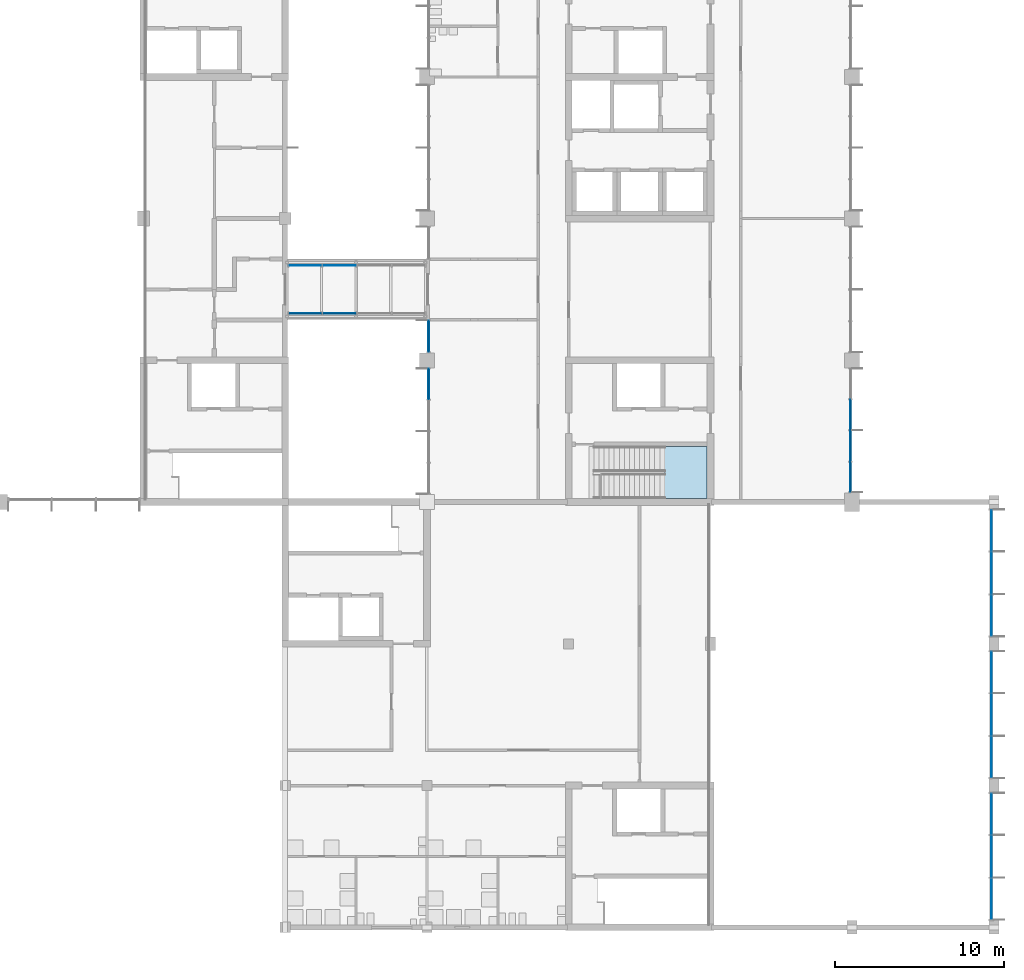
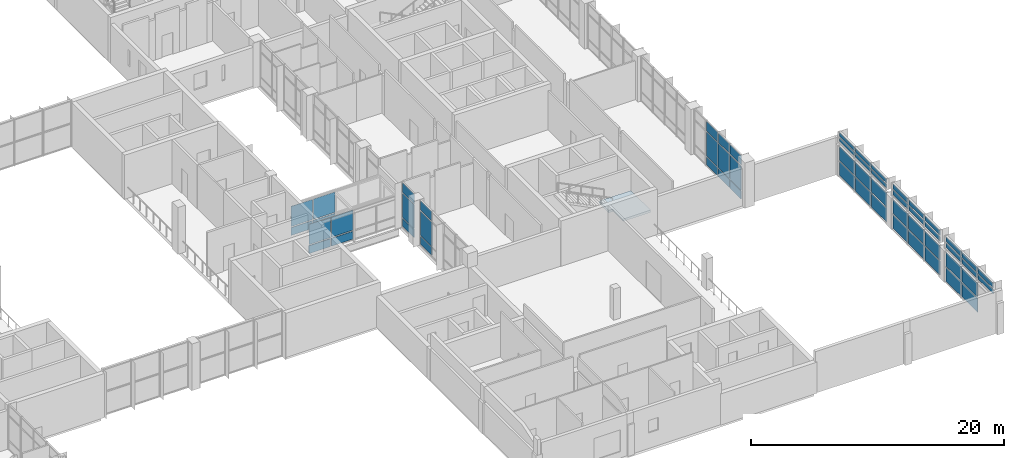
# One storey, part 27 of 70: 57 plates, 1 slab, 12 elements without a shape of their own.
"""IFC4 building model written with IfcOpenShell, lengths in metres."""

from ifc_helpers import new_model, si_unit, direction, frame, origin, origin_2d, place, context, subcontext, project, spatial, polyline, rectangle, outline, extrude, material, layer, layer_set, type_object, element, aggregate, save


model = new_model("IFC4")

# Units and contexts
model_context = context("Model", 3, precision=1e-05, world=origin(), true_north=direction((0.0, 1.0)))
body_context = subcontext(model_context, "Body", "Model", "MODEL_VIEW")
ifc_project = project(units=[si_unit("LENGTHUNIT", "METRE"), si_unit("AREAUNIT", "SQUARE_METRE"), si_unit("VOLUMEUNIT", "CUBIC_METRE"), si_unit("PLANEANGLEUNIT", "RADIAN"), si_unit("MASSUNIT", "GRAM", prefix="KILO")], contexts=[model_context])

# Site, building, storey
site_placement = place(None, origin())
site = spatial("IfcSite", under=ifc_project, at=site_placement, CompositionType="ELEMENT")
building_placement = place(site_placement, origin())
building = spatial("IfcBuilding", under=site, at=building_placement, Name="Hlaing Beacon Police Headquarters", CompositionType="ELEMENT")
storey_placement = place(building_placement, frame((0.0, 0.0, 5.39990234375)))
storey = spatial("IfcBuildingStorey", under=building, at=storey_placement, Name="L01", CompositionType="ELEMENT", Elevation=5.39990234375)

# Curtain wall, plate
ifc_material_1 = material(Name="Aluminium frame with solar control glazing", Category="aluminium")
curtain_wall_type_1 = type_object("IfcCurtainWallType", Name="Unitised curtain wall 7.40 x 4.37", PredefinedType="NOTDEFINED", material=ifc_material_1)
curtain_wall_1_placement = place(storey_placement, origin())
curtain_wall_1 = element("IfcCurtainWall", 1, at=curtain_wall_1_placement, inside=storey, type_object=curtain_wall_type_1, Name="ENV-CW-L01-E019", PredefinedType="NOTDEFINED")
ifc_material_2 = material(Name="Solar control glazing", Category="glass")
ifc_layer_1 = layer(ifc_material_2, 0.0439453125)
ifc_layer_set_1 = layer_set([ifc_layer_1], Name="Solar control glazing")
plate_type_1 = type_object("IfcPlateType", Name="Clear glazing panel 44", PredefinedType="CURTAIN_PANEL", material=ifc_layer_set_1)
plate_1_placement = place(storey_placement, frame((125.89990234375, 36.925048828125, 0.9501953125), z_axis=(0.0, 0.0, 1.0), x_axis=(0.0, 1.0, 0.0)))
plate_1 = element("IfcPlate", 2, at=plate_1_placement, type_object=plate_type_1, Name="CW-L01-E019 panel 2.2", PredefinedType="CURTAIN_PANEL", context=body_context, shape_type="SweptSolid", body=[
    extrude(rectangle(XDim=1.7900390625, YDim=0.0439453125, at=origin_2d()), origin(), (0.0, 0.0, 1.0), 2.300048828125),
])

# Curtain wall, plates
ifc_material_3 = material(Name="Aluminium frame with solar control glazing", Category="aluminium")
curtain_wall_type_2 = type_object("IfcCurtainWallType", Name="Unitised curtain wall 8.20 x 3.00", PredefinedType="NOTDEFINED", material=ifc_material_3)
curtain_wall_2_placement = place(storey_placement, origin())
curtain_wall_2 = element("IfcCurtainWall", 3, at=curtain_wall_2_placement, inside=storey, type_object=curtain_wall_type_2, Name="ENV-BG-BR2-A-34", PredefinedType="NOTDEFINED")
plate_2_placement = place(storey_placement, frame((93.590087890625, 44.776123046875, 0.9501953125), z_axis=(0.0, 0.0, 1.0), x_axis=(1.0, 0.0, 0.0)))
plate_2 = element("IfcPlate", 4, at=plate_2_placement, type_object=plate_type_1, Name="BG-BR2-A-34 panel 1.2", PredefinedType="CURTAIN_PANEL", context=body_context, shape_type="SweptSolid", body=[
    extrude(rectangle(XDim=1.9599609375, YDim=0.0439453125, at=origin_2d()), origin(), (0.0, 0.0, 1.0), 1.949951171875),
])
plate_3_placement = place(storey_placement, frame((95.625, 44.776123046875, 0.9501953125), z_axis=(0.0, 0.0, 1.0), x_axis=(1.0, 0.0, 0.0)))
plate_3 = element("IfcPlate", 5, at=plate_3_placement, type_object=plate_type_1, Name="BG-BR2-A-34 panel 2.2", PredefinedType="CURTAIN_PANEL", context=body_context, shape_type="SweptSolid", body=[
    extrude(rectangle(XDim=1.989990234375, YDim=0.0439453125, at=origin_2d()), origin(), (0.0, 0.0, 1.0), 1.949951171875),
])

curtain_wall_3_placement = place(storey_placement, origin())
curtain_wall_3 = element("IfcCurtainWall", 6, at=curtain_wall_3_placement, inside=storey, type_object=curtain_wall_type_2, Name="ENV-BG-BR2-B-35", PredefinedType="NOTDEFINED")
plate_4_placement = place(storey_placement, frame((93.590087890625, 47.623779296875, 0.9501953125), z_axis=(0.0, 0.0, 1.0), x_axis=(1.0, 0.0, 0.0)))
plate_4 = element("IfcPlate", 7, at=plate_4_placement, type_object=plate_type_1, Name="BG-BR2-B-35 panel 1.2", PredefinedType="CURTAIN_PANEL", context=body_context, shape_type="SweptSolid", body=[
    extrude(rectangle(XDim=1.9599609375, YDim=0.0439453125, at=origin_2d()), origin(), (0.0, 0.0, 1.0), 1.949951171875),
])
plate_5_placement = place(storey_placement, frame((95.625, 47.623779296875, 0.9501953125), z_axis=(0.0, 0.0, 1.0), x_axis=(1.0, 0.0, 0.0)))
plate_5 = element("IfcPlate", 8, at=plate_5_placement, type_object=plate_type_1, Name="BG-BR2-B-35 panel 2.2", PredefinedType="CURTAIN_PANEL", context=body_context, shape_type="SweptSolid", body=[
    extrude(rectangle(XDim=1.989990234375, YDim=0.0439453125, at=origin_2d()), origin(), (0.0, 0.0, 1.0), 1.949951171875),
])

# Plate
ifc_material_4 = material(Name="Fritted solar control glazing", Category="glass")
ifc_layer_2 = layer(ifc_material_4, 0.0439453125)
ifc_layer_set_2 = layer_set([ifc_layer_2], Name="Fritted solar control glazing")
plate_type_2 = type_object("IfcPlateType", Name="Fritted glazing panel 44", PredefinedType="CURTAIN_PANEL", material=ifc_layer_set_2)
plate_6_placement = place(storey_placement, frame((125.89990234375, 35.090087890625, 0.9501953125), z_axis=(0.0, 0.0, 1.0), x_axis=(0.0, 1.0, 0.0)))
plate_6 = element("IfcPlate", 9, at=plate_6_placement, type_object=plate_type_2, Name="CW-L01-E019 panel 1.2", PredefinedType="CURTAIN_PANEL", context=body_context, shape_type="SweptSolid", body=[
    extrude(rectangle(XDim=1.760009765625, YDim=0.0439453125, at=origin_2d()), origin(), (0.0, 0.0, 1.0), 2.300048828125),
])

plate_7_placement = place(storey_placement, frame((125.89990234375, 38.77490234375, 0.9501953125), z_axis=(0.0, 0.0, 1.0), x_axis=(0.0, 1.0, 0.0)))
plate_7 = element("IfcPlate", 10, at=plate_7_placement, type_object=plate_type_2, Name="CW-L01-E019 panel 3.2", PredefinedType="CURTAIN_PANEL", context=body_context, shape_type="SweptSolid", body=[
    extrude(rectangle(XDim=1.7900390625, YDim=0.0439453125, at=origin_2d()), origin(), (0.0, 0.0, 1.0), 2.300048828125),
])

# Curtain wall, plate
ifc_material_5 = material(Name="Aluminium frame with solar control glazing", Category="aluminium")
curtain_wall_type_3 = type_object("IfcCurtainWallType", Name="Unitised curtain wall 1.95 x 4.37", PredefinedType="NOTDEFINED", material=ifc_material_5)
curtain_wall_4_placement = place(storey_placement, origin())
curtain_wall_4 = element("IfcCurtainWall", 11, at=curtain_wall_4_placement, inside=storey, type_object=curtain_wall_type_3, Name="ENV-CW-L01-W026", PredefinedType="NOTDEFINED")
plate_8_placement = place(storey_placement, frame((100.89990234375, 43.425048828125, 0.9501953125), z_axis=(0.0, 0.0, 1.0), x_axis=(0.0, -1.0, 0.0)))
plate_8 = element("IfcPlate", 12, at=plate_8_placement, type_object=plate_type_2, Name="CW-L01-W026 panel 1.2", PredefinedType="CURTAIN_PANEL", context=body_context, shape_type="SweptSolid", body=[
    extrude(rectangle(XDim=1.830078125, YDim=0.0439453125, at=origin_2d()), origin(), (0.0, 0.0, 1.0), 2.300048828125),
])

ifc_material_6 = material(Name="Aluminium frame with solar control glazing", Category="aluminium")
curtain_wall_type_4 = type_object("IfcCurtainWallType", Name="Unitised curtain wall 7.50 x 4.37", PredefinedType="NOTDEFINED", material=ifc_material_6)
curtain_wall_5_placement = place(storey_placement, origin())
curtain_wall_5 = element("IfcCurtainWall", 13, at=curtain_wall_5_placement, inside=storey, type_object=curtain_wall_type_4, Name="ENV-CW-L01-W027", PredefinedType="NOTDEFINED")
plate_9_placement = place(storey_placement, frame((100.89990234375, 40.597412109375, 0.9501953125), z_axis=(0.0, 0.0, 1.0), x_axis=(0.0, -1.0, 0.0)))
plate_9 = element("IfcPlate", 14, at=plate_9_placement, type_object=plate_type_2, Name="CW-L01-W027 panel 1.2", PredefinedType="CURTAIN_PANEL", context=body_context, shape_type="SweptSolid", body=[
    extrude(rectangle(XDim=1.784912109375, YDim=0.0439453125, at=origin_2d()), origin(), (0.0, 0.0, 1.0), 2.300048828125),
])

# Plate
ifc_material_7 = material(Name="Insulated aluminium spandrel", Category="aluminium")
ifc_layer_3 = layer(ifc_material_7, 0.0400390625)
ifc_layer_set_3 = layer_set([ifc_layer_3], Name="Insulated aluminium spandrel")
plate_type_3 = type_object("IfcPlateType", Name="Insulated spandrel panel 40", PredefinedType="CURTAIN_PANEL", material=ifc_layer_set_3)
plate_10_placement = place(storey_placement, frame((93.590087890625, 47.623779296875, 0.10009765625), z_axis=(0.0, 0.0, 1.0), x_axis=(1.0, 0.0, 0.0)))
plate_10 = element("IfcPlate", 15, at=plate_10_placement, type_object=plate_type_3, Name="BG-BR2-B-35 panel 1.1", PredefinedType="CURTAIN_PANEL", context=body_context, shape_type="SweptSolid", body=[
    extrude(rectangle(XDim=1.9599609375, YDim=0.0400390625, at=origin_2d()), origin(), (0.0, 0.0, 1.0), 0.75),
])

plate_11_placement = place(storey_placement, frame((95.625, 47.623779296875, 0.10009765625), z_axis=(0.0, 0.0, 1.0), x_axis=(1.0, 0.0, 0.0)))
plate_11 = element("IfcPlate", 16, at=plate_11_placement, type_object=plate_type_3, Name="BG-BR2-B-35 panel 2.1", PredefinedType="CURTAIN_PANEL", context=body_context, shape_type="SweptSolid", body=[
    extrude(rectangle(XDim=1.989990234375, YDim=0.0400390625, at=origin_2d()), origin(), (0.0, 0.0, 1.0), 0.75),
])

aggregate(curtain_wall_3, [plate_10, plate_4, plate_11, plate_5])

ifc_material_8 = material(Name="Insulated aluminium spandrel", Category="aluminium")
ifc_layer_4 = layer(ifc_material_8, 0.06005859375)
ifc_layer_set_4 = layer_set([ifc_layer_4], Name="Insulated aluminium spandrel")
plate_type_4 = type_object("IfcPlateType", Name="Insulated spandrel panel 60", PredefinedType="CURTAIN_PANEL", material=ifc_layer_set_4)
plate_12_placement = place(storey_placement, frame((125.89990234375, 35.090087890625, 0.10009765625), z_axis=(0.0, 0.0, 1.0), x_axis=(0.0, 1.0, 0.0)))
plate_12 = element("IfcPlate", 17, at=plate_12_placement, type_object=plate_type_4, Name="CW-L01-E019 panel 1.1", PredefinedType="CURTAIN_PANEL", context=body_context, shape_type="SweptSolid", body=[
    extrude(rectangle(XDim=1.760009765625, YDim=0.06005859375, at=origin_2d()), origin(), (0.0, 0.0, 1.0), 0.75),
])

plate_13_placement = place(storey_placement, frame((125.89990234375, 36.925048828125, 0.10009765625), z_axis=(0.0, 0.0, 1.0), x_axis=(0.0, 1.0, 0.0)))
plate_13 = element("IfcPlate", 18, at=plate_13_placement, type_object=plate_type_4, Name="CW-L01-E019 panel 2.1", PredefinedType="CURTAIN_PANEL", context=body_context, shape_type="SweptSolid", body=[
    extrude(rectangle(XDim=1.7900390625, YDim=0.06005859375, at=origin_2d()), origin(), (0.0, 0.0, 1.0), 0.75),
])

plate_14_placement = place(storey_placement, frame((125.89990234375, 38.77490234375, 0.10009765625), z_axis=(0.0, 0.0, 1.0), x_axis=(0.0, 1.0, 0.0)))
plate_14 = element("IfcPlate", 19, at=plate_14_placement, type_object=plate_type_4, Name="CW-L01-E019 panel 3.1", PredefinedType="CURTAIN_PANEL", context=body_context, shape_type="SweptSolid", body=[
    extrude(rectangle(XDim=1.7900390625, YDim=0.06005859375, at=origin_2d()), origin(), (0.0, 0.0, 1.0), 0.75),
])

ifc_material_9 = material(Name="Insulated aluminium spandrel", Category="aluminium")
ifc_layer_5 = layer(ifc_material_9, 0.080078125)
ifc_layer_set_5 = layer_set([ifc_layer_5], Name="Insulated aluminium spandrel")
plate_type_5 = type_object("IfcPlateType", Name="Insulated spandrel panel 80", PredefinedType="CURTAIN_PANEL", material=ifc_layer_set_5)
plate_15_placement = place(storey_placement, frame((100.89990234375, 43.425048828125, 0.10009765625), z_axis=(0.0, 0.0, 1.0), x_axis=(0.0, -1.0, 0.0)))
plate_15 = element("IfcPlate", 20, at=plate_15_placement, type_object=plate_type_5, Name="CW-L01-W026 panel 1.1", PredefinedType="CURTAIN_PANEL", context=body_context, shape_type="SweptSolid", body=[
    extrude(rectangle(XDim=1.830078125, YDim=0.080078125, at=origin_2d()), origin(), (0.0, 0.0, 1.0), 0.75),
])

plate_16_placement = place(storey_placement, frame((100.89990234375, 40.597412109375, 0.10009765625), z_axis=(0.0, 0.0, 1.0), x_axis=(0.0, -1.0, 0.0)))
plate_16 = element("IfcPlate", 21, at=plate_16_placement, type_object=plate_type_5, Name="CW-L01-W027 panel 1.1", PredefinedType="CURTAIN_PANEL", context=body_context, shape_type="SweptSolid", body=[
    extrude(rectangle(XDim=1.784912109375, YDim=0.080078125, at=origin_2d()), origin(), (0.0, 0.0, 1.0), 0.75),
])

plate_17_placement = place(storey_placement, frame((93.590087890625, 44.776123046875, 0.10009765625), z_axis=(0.0, 0.0, 1.0), x_axis=(1.0, 0.0, 0.0)))
plate_17 = element("IfcPlate", 22, at=plate_17_placement, type_object=plate_type_5, Name="BG-BR2-A-34 panel 1.1", PredefinedType="CURTAIN_PANEL", context=body_context, shape_type="SweptSolid", body=[
    extrude(rectangle(XDim=1.9599609375, YDim=0.080078125, at=origin_2d()), origin(), (0.0, 0.0, 1.0), 0.75),
])

plate_18_placement = place(storey_placement, frame((95.625, 44.776123046875, 0.10009765625), z_axis=(0.0, 0.0, 1.0), x_axis=(1.0, 0.0, 0.0)))
plate_18 = element("IfcPlate", 23, at=plate_18_placement, type_object=plate_type_5, Name="BG-BR2-A-34 panel 2.1", PredefinedType="CURTAIN_PANEL", context=body_context, shape_type="SweptSolid", body=[
    extrude(rectangle(XDim=1.989990234375, YDim=0.080078125, at=origin_2d()), origin(), (0.0, 0.0, 1.0), 0.75),
])

aggregate(curtain_wall_2, [plate_17, plate_2, plate_18, plate_3])

# Curtain wall, plates
ifc_material_10 = material(Name="Aluminium frame with solar control glazing", Category="aluminium")
curtain_wall_type_5 = type_object("IfcCurtainWallType", Name="Structural glazed gable wall 7.60 x 1.25", PredefinedType="NOTDEFINED", material=ifc_material_10)
curtain_wall_6_placement = place(storey_placement, origin())
curtain_wall_6 = element("IfcCurtainWall", 24, at=curtain_wall_6_placement, inside=storey, type_object=curtain_wall_type_5, Name="ENV-CW-L01-E002", PredefinedType="NOTDEFINED")
ifc_material_11 = material(Name="Laminated solar control glazing", Category="glass")
ifc_layer_6 = layer(ifc_material_11, 0.02392578125)
ifc_layer_set_6 = layer_set([ifc_layer_6], Name="Laminated solar control glazing")
plate_type_6 = type_object("IfcPlateType", Name="Laminated glazing panel 24", PredefinedType="CURTAIN_PANEL", material=ifc_layer_set_6)
plate_19_placement = place(storey_placement, frame((134.25, 10.086669921875, 3.35400390625), z_axis=(0.0, 0.0, 1.0), x_axis=(0.0, 1.0, 0.0)))
plate_19 = element("IfcPlate", 25, at=plate_19_placement, type_object=plate_type_6, Name="CW-L01-E002 panel 1.1", PredefinedType="CURTAIN_PANEL", context=body_context, shape_type="SweptSolid", body=[
    extrude(rectangle(XDim=2.413330078125, YDim=0.02392578125, at=origin_2d()), origin(), (0.0, 0.0, 1.0), 0.472900390625),
])
plate_20_placement = place(storey_placement, frame((134.25, 10.086669921875, 3.92724609375), z_axis=(0.0, 0.0, 1.0), x_axis=(0.0, 1.0, 0.0)))
plate_20 = element("IfcPlate", 26, at=plate_20_placement, type_object=plate_type_6, Name="CW-L01-E002 panel 1.2", PredefinedType="CURTAIN_PANEL", context=body_context, shape_type="SweptSolid", body=[
    extrude(rectangle(XDim=2.413330078125, YDim=0.02392578125, at=origin_2d()), origin(), (0.0, 0.0, 1.0), 0.472900390625),
])
plate_21_placement = place(storey_placement, frame((134.25, 12.60009765625, 3.35400390625), z_axis=(0.0, 0.0, 1.0), x_axis=(0.0, 1.0, 0.0)))
plate_21 = element("IfcPlate", 27, at=plate_21_placement, type_object=plate_type_6, Name="CW-L01-E002 panel 2.1", PredefinedType="CURTAIN_PANEL", context=body_context, shape_type="SweptSolid", body=[
    extrude(rectangle(XDim=2.453369140625, YDim=0.02392578125, at=origin_2d()), origin(), (0.0, 0.0, 1.0), 0.472900390625),
])
plate_22_placement = place(storey_placement, frame((134.25, 12.60009765625, 3.92724609375), z_axis=(0.0, 0.0, 1.0), x_axis=(0.0, 1.0, 0.0)))
plate_22 = element("IfcPlate", 28, at=plate_22_placement, type_object=plate_type_6, Name="CW-L01-E002 panel 2.2", PredefinedType="CURTAIN_PANEL", context=body_context, shape_type="SweptSolid", body=[
    extrude(rectangle(XDim=2.453369140625, YDim=0.02392578125, at=origin_2d()), origin(), (0.0, 0.0, 1.0), 0.472900390625),
])
plate_23_placement = place(storey_placement, frame((134.25, 15.11328125, 3.35400390625), z_axis=(0.0, 0.0, 1.0), x_axis=(0.0, 1.0, 0.0)))
plate_23 = element("IfcPlate", 29, at=plate_23_placement, type_object=plate_type_6, Name="CW-L01-E002 panel 3.1", PredefinedType="CURTAIN_PANEL", context=body_context, shape_type="SweptSolid", body=[
    extrude(rectangle(XDim=2.413330078125, YDim=0.02392578125, at=origin_2d()), origin(), (0.0, 0.0, 1.0), 0.472900390625),
])
plate_24_placement = place(storey_placement, frame((134.25, 15.11328125, 3.92724609375), z_axis=(0.0, 0.0, 1.0), x_axis=(0.0, 1.0, 0.0)))
plate_24 = element("IfcPlate", 30, at=plate_24_placement, type_object=plate_type_6, Name="CW-L01-E002 panel 3.2", PredefinedType="CURTAIN_PANEL", context=body_context, shape_type="SweptSolid", body=[
    extrude(rectangle(XDim=2.413330078125, YDim=0.02392578125, at=origin_2d()), origin(), (0.0, 0.0, 1.0), 0.472900390625),
])
aggregate(curtain_wall_6, [plate_19, plate_20, plate_21, plate_22, plate_23, plate_24])

curtain_wall_7_placement = place(storey_placement, origin())
curtain_wall_7 = element("IfcCurtainWall", 31, at=curtain_wall_7_placement, inside=storey, type_object=curtain_wall_type_5, Name="ENV-CW-L01-E004", PredefinedType="NOTDEFINED")
plate_25_placement = place(storey_placement, frame((134.25, 18.486572265625, 3.35400390625), z_axis=(0.0, 0.0, 1.0), x_axis=(0.0, 1.0, 0.0)))
plate_25 = element("IfcPlate", 32, at=plate_25_placement, type_object=plate_type_6, Name="CW-L01-E004 panel 1.1", PredefinedType="CURTAIN_PANEL", context=body_context, shape_type="SweptSolid", body=[
    extrude(rectangle(XDim=2.413330078125, YDim=0.02392578125, at=origin_2d()), origin(), (0.0, 0.0, 1.0), 0.472900390625),
])
plate_26_placement = place(storey_placement, frame((134.25, 18.486572265625, 3.92724609375), z_axis=(0.0, 0.0, 1.0), x_axis=(0.0, 1.0, 0.0)))
plate_26 = element("IfcPlate", 33, at=plate_26_placement, type_object=plate_type_6, Name="CW-L01-E004 panel 1.2", PredefinedType="CURTAIN_PANEL", context=body_context, shape_type="SweptSolid", body=[
    extrude(rectangle(XDim=2.413330078125, YDim=0.02392578125, at=origin_2d()), origin(), (0.0, 0.0, 1.0), 0.472900390625),
])
plate_27_placement = place(storey_placement, frame((134.25, 21.0, 3.35400390625), z_axis=(0.0, 0.0, 1.0), x_axis=(0.0, 1.0, 0.0)))
plate_27 = element("IfcPlate", 34, at=plate_27_placement, type_object=plate_type_6, Name="CW-L01-E004 panel 2.1", PredefinedType="CURTAIN_PANEL", context=body_context, shape_type="SweptSolid", body=[
    extrude(rectangle(XDim=2.453369140625, YDim=0.02392578125, at=origin_2d()), origin(), (0.0, 0.0, 1.0), 0.472900390625),
])
plate_28_placement = place(storey_placement, frame((134.25, 21.0, 3.92724609375), z_axis=(0.0, 0.0, 1.0), x_axis=(0.0, 1.0, 0.0)))
plate_28 = element("IfcPlate", 35, at=plate_28_placement, type_object=plate_type_6, Name="CW-L01-E004 panel 2.2", PredefinedType="CURTAIN_PANEL", context=body_context, shape_type="SweptSolid", body=[
    extrude(rectangle(XDim=2.453369140625, YDim=0.02392578125, at=origin_2d()), origin(), (0.0, 0.0, 1.0), 0.472900390625),
])
plate_29_placement = place(storey_placement, frame((134.25, 23.513427734375, 3.35400390625), z_axis=(0.0, 0.0, 1.0), x_axis=(0.0, 1.0, 0.0)))
plate_29 = element("IfcPlate", 36, at=plate_29_placement, type_object=plate_type_6, Name="CW-L01-E004 panel 3.1", PredefinedType="CURTAIN_PANEL", context=body_context, shape_type="SweptSolid", body=[
    extrude(rectangle(XDim=2.413330078125, YDim=0.02392578125, at=origin_2d()), origin(), (0.0, 0.0, 1.0), 0.472900390625),
])
plate_30_placement = place(storey_placement, frame((134.25, 23.513427734375, 3.92724609375), z_axis=(0.0, 0.0, 1.0), x_axis=(0.0, 1.0, 0.0)))
plate_30 = element("IfcPlate", 37, at=plate_30_placement, type_object=plate_type_6, Name="CW-L01-E004 panel 3.2", PredefinedType="CURTAIN_PANEL", context=body_context, shape_type="SweptSolid", body=[
    extrude(rectangle(XDim=2.413330078125, YDim=0.02392578125, at=origin_2d()), origin(), (0.0, 0.0, 1.0), 0.472900390625),
])
aggregate(curtain_wall_7, [plate_25, plate_26, plate_27, plate_28, plate_29, plate_30])

ifc_material_12 = material(Name="Aluminium frame with solar control glazing", Category="aluminium")
curtain_wall_type_6 = type_object("IfcCurtainWallType", Name="Structural glazed gable wall 7.60 x 1.09", PredefinedType="NOTDEFINED", material=ifc_material_12)
curtain_wall_8_placement = place(storey_placement, origin())
curtain_wall_8 = element("IfcCurtainWall", 38, at=curtain_wall_8_placement, inside=storey, type_object=curtain_wall_type_6, Name="ENV-CW-L01-E006", PredefinedType="NOTDEFINED")
plate_31_placement = place(storey_placement, frame((134.25, 26.88671875, 3.35400390625), z_axis=(0.0, 0.0, 1.0), x_axis=(0.0, 1.0, 0.0)))
plate_31 = element("IfcPlate", 39, at=plate_31_placement, type_object=plate_type_6, Name="CW-L01-E006 panel 1.1", PredefinedType="CURTAIN_PANEL", context=body_context, shape_type="SweptSolid", body=[
    extrude(rectangle(XDim=2.413330078125, YDim=0.02392578125, at=origin_2d()), origin(), (0.0, 0.0, 1.0), 0.39501953125),
])
plate_32_placement = place(storey_placement, frame((134.25, 26.88671875, 3.84912109375), z_axis=(0.0, 0.0, 1.0), x_axis=(0.0, 1.0, 0.0)))
plate_32 = element("IfcPlate", 40, at=plate_32_placement, type_object=plate_type_6, Name="CW-L01-E006 panel 1.2", PredefinedType="CURTAIN_PANEL", context=body_context, shape_type="SweptSolid", body=[
    extrude(rectangle(XDim=2.413330078125, YDim=0.02392578125, at=origin_2d()), origin(), (0.0, 0.0, 1.0), 0.395751953125),
])
plate_33_placement = place(storey_placement, frame((134.25, 29.39990234375, 3.35400390625), z_axis=(0.0, 0.0, 1.0), x_axis=(0.0, 1.0, 0.0)))
plate_33 = element("IfcPlate", 41, at=plate_33_placement, type_object=plate_type_6, Name="CW-L01-E006 panel 2.1", PredefinedType="CURTAIN_PANEL", context=body_context, shape_type="SweptSolid", body=[
    extrude(rectangle(XDim=2.453369140625, YDim=0.02392578125, at=origin_2d()), origin(), (0.0, 0.0, 1.0), 0.39501953125),
])
plate_34_placement = place(storey_placement, frame((134.25, 29.39990234375, 3.84912109375), z_axis=(0.0, 0.0, 1.0), x_axis=(0.0, 1.0, 0.0)))
plate_34 = element("IfcPlate", 42, at=plate_34_placement, type_object=plate_type_6, Name="CW-L01-E006 panel 2.2", PredefinedType="CURTAIN_PANEL", context=body_context, shape_type="SweptSolid", body=[
    extrude(rectangle(XDim=2.453369140625, YDim=0.02392578125, at=origin_2d()), origin(), (0.0, 0.0, 1.0), 0.395751953125),
])
plate_35_placement = place(storey_placement, frame((134.25, 31.913330078125, 3.35400390625), z_axis=(0.0, 0.0, 1.0), x_axis=(0.0, 1.0, 0.0)))
plate_35 = element("IfcPlate", 43, at=plate_35_placement, type_object=plate_type_6, Name="CW-L01-E006 panel 3.1", PredefinedType="CURTAIN_PANEL", context=body_context, shape_type="SweptSolid", body=[
    extrude(rectangle(XDim=2.413330078125, YDim=0.02392578125, at=origin_2d()), origin(), (0.0, 0.0, 1.0), 0.39501953125),
])
plate_36_placement = place(storey_placement, frame((134.25, 31.913330078125, 3.84912109375), z_axis=(0.0, 0.0, 1.0), x_axis=(0.0, 1.0, 0.0)))
plate_36 = element("IfcPlate", 44, at=plate_36_placement, type_object=plate_type_6, Name="CW-L01-E006 panel 3.2", PredefinedType="CURTAIN_PANEL", context=body_context, shape_type="SweptSolid", body=[
    extrude(rectangle(XDim=2.413330078125, YDim=0.02392578125, at=origin_2d()), origin(), (0.0, 0.0, 1.0), 0.395751953125),
])
aggregate(curtain_wall_8, [plate_31, plate_32, plate_33, plate_34, plate_35, plate_36])

ifc_material_13 = material(Name="Aluminium frame with solar control glazing", Category="aluminium")
curtain_wall_type_7 = type_object("IfcCurtainWallType", Name="Structural glazed gable wall 7.60 x 3.00", PredefinedType="NOTDEFINED", material=ifc_material_13)
curtain_wall_9_placement = place(storey_placement, origin())
curtain_wall_9 = element("IfcCurtainWall", 45, at=curtain_wall_9_placement, inside=storey, type_object=curtain_wall_type_7, Name="ENV-CW-L01-E001", PredefinedType="NOTDEFINED")
ifc_material_14 = material(Name="Laminated solar control glazing", Category="glass")
ifc_layer_7 = layer(ifc_material_14, 0.031982421875)
ifc_layer_set_7 = layer_set([ifc_layer_7], Name="Laminated solar control glazing")
plate_type_7 = type_object("IfcPlateType", Name="Laminated glazing panel 32", PredefinedType="CURTAIN_PANEL", material=ifc_layer_set_7)
plate_37_placement = place(storey_placement, frame((134.25, 12.60009765625, 0.10009765625), z_axis=(0.0, 0.0, 1.0), x_axis=(0.0, 1.0, 0.0)))
plate_37 = element("IfcPlate", 46, at=plate_37_placement, type_object=plate_type_7, Name="CW-L01-E001 panel 2.1", PredefinedType="CURTAIN_PANEL", context=body_context, shape_type="SweptSolid", body=[
    extrude(rectangle(XDim=2.453369140625, YDim=0.031982421875, at=origin_2d()), origin(), (0.0, 0.0, 1.0), 1.35009765625),
])
plate_38_placement = place(storey_placement, frame((134.25, 12.60009765625, 1.550048828125), z_axis=(0.0, 0.0, 1.0), x_axis=(0.0, 1.0, 0.0)))
plate_38 = element("IfcPlate", 47, at=plate_38_placement, type_object=plate_type_7, Name="CW-L01-E001 panel 2.2", PredefinedType="CURTAIN_PANEL", context=body_context, shape_type="SweptSolid", body=[
    extrude(rectangle(XDim=2.453369140625, YDim=0.031982421875, at=origin_2d()), origin(), (0.0, 0.0, 1.0), 1.35009765625),
])
plate_39_placement = place(storey_placement, frame((134.25, 15.11328125, 0.10009765625), z_axis=(0.0, 0.0, 1.0), x_axis=(0.0, 1.0, 0.0)))
plate_39 = element("IfcPlate", 48, at=plate_39_placement, type_object=plate_type_7, Name="CW-L01-E001 panel 3.1", PredefinedType="CURTAIN_PANEL", context=body_context, shape_type="SweptSolid", body=[
    extrude(rectangle(XDim=2.413330078125, YDim=0.031982421875, at=origin_2d()), origin(), (0.0, 0.0, 1.0), 1.35009765625),
])
plate_40_placement = place(storey_placement, frame((134.25, 15.11328125, 1.550048828125), z_axis=(0.0, 0.0, 1.0), x_axis=(0.0, 1.0, 0.0)))
plate_40 = element("IfcPlate", 49, at=plate_40_placement, type_object=plate_type_7, Name="CW-L01-E001 panel 3.2", PredefinedType="CURTAIN_PANEL", context=body_context, shape_type="SweptSolid", body=[
    extrude(rectangle(XDim=2.413330078125, YDim=0.031982421875, at=origin_2d()), origin(), (0.0, 0.0, 1.0), 1.35009765625),
])
aggregate(curtain_wall_9, [plate_37, plate_38, plate_39, plate_40])

curtain_wall_10_placement = place(storey_placement, origin())
curtain_wall_10 = element("IfcCurtainWall", 50, at=curtain_wall_10_placement, inside=storey, type_object=curtain_wall_type_7, Name="ENV-CW-L01-E003", PredefinedType="NOTDEFINED")
plate_41_placement = place(storey_placement, frame((134.25, 18.486572265625, 0.10009765625), z_axis=(0.0, 0.0, 1.0), x_axis=(0.0, 1.0, 0.0)))
plate_41 = element("IfcPlate", 51, at=plate_41_placement, type_object=plate_type_7, Name="CW-L01-E003 panel 1.1", PredefinedType="CURTAIN_PANEL", context=body_context, shape_type="SweptSolid", body=[
    extrude(rectangle(XDim=2.413330078125, YDim=0.031982421875, at=origin_2d()), origin(), (0.0, 0.0, 1.0), 1.35009765625),
])
plate_42_placement = place(storey_placement, frame((134.25, 18.486572265625, 1.550048828125), z_axis=(0.0, 0.0, 1.0), x_axis=(0.0, 1.0, 0.0)))
plate_42 = element("IfcPlate", 52, at=plate_42_placement, type_object=plate_type_7, Name="CW-L01-E003 panel 1.2", PredefinedType="CURTAIN_PANEL", context=body_context, shape_type="SweptSolid", body=[
    extrude(rectangle(XDim=2.413330078125, YDim=0.031982421875, at=origin_2d()), origin(), (0.0, 0.0, 1.0), 1.35009765625),
])
plate_43_placement = place(storey_placement, frame((134.25, 21.0, 0.10009765625), z_axis=(0.0, 0.0, 1.0), x_axis=(0.0, 1.0, 0.0)))
plate_43 = element("IfcPlate", 53, at=plate_43_placement, type_object=plate_type_7, Name="CW-L01-E003 panel 2.1", PredefinedType="CURTAIN_PANEL", context=body_context, shape_type="SweptSolid", body=[
    extrude(rectangle(XDim=2.453369140625, YDim=0.031982421875, at=origin_2d()), origin(), (0.0, 0.0, 1.0), 1.35009765625),
])
plate_44_placement = place(storey_placement, frame((134.25, 21.0, 1.550048828125), z_axis=(0.0, 0.0, 1.0), x_axis=(0.0, 1.0, 0.0)))
plate_44 = element("IfcPlate", 54, at=plate_44_placement, type_object=plate_type_7, Name="CW-L01-E003 panel 2.2", PredefinedType="CURTAIN_PANEL", context=body_context, shape_type="SweptSolid", body=[
    extrude(rectangle(XDim=2.453369140625, YDim=0.031982421875, at=origin_2d()), origin(), (0.0, 0.0, 1.0), 1.35009765625),
])
plate_45_placement = place(storey_placement, frame((134.25, 23.513427734375, 0.10009765625), z_axis=(0.0, 0.0, 1.0), x_axis=(0.0, 1.0, 0.0)))
plate_45 = element("IfcPlate", 55, at=plate_45_placement, type_object=plate_type_7, Name="CW-L01-E003 panel 3.1", PredefinedType="CURTAIN_PANEL", context=body_context, shape_type="SweptSolid", body=[
    extrude(rectangle(XDim=2.413330078125, YDim=0.031982421875, at=origin_2d()), origin(), (0.0, 0.0, 1.0), 1.35009765625),
])
plate_46_placement = place(storey_placement, frame((134.25, 23.513427734375, 1.550048828125), z_axis=(0.0, 0.0, 1.0), x_axis=(0.0, 1.0, 0.0)))
plate_46 = element("IfcPlate", 56, at=plate_46_placement, type_object=plate_type_7, Name="CW-L01-E003 panel 3.2", PredefinedType="CURTAIN_PANEL", context=body_context, shape_type="SweptSolid", body=[
    extrude(rectangle(XDim=2.413330078125, YDim=0.031982421875, at=origin_2d()), origin(), (0.0, 0.0, 1.0), 1.35009765625),
])
aggregate(curtain_wall_10, [plate_41, plate_42, plate_43, plate_44, plate_45, plate_46])

curtain_wall_11_placement = place(storey_placement, origin())
curtain_wall_11 = element("IfcCurtainWall", 57, at=curtain_wall_11_placement, inside=storey, type_object=curtain_wall_type_7, Name="ENV-CW-L01-E005", PredefinedType="NOTDEFINED")
plate_47_placement = place(storey_placement, frame((134.25, 26.88671875, 0.10009765625), z_axis=(0.0, 0.0, 1.0), x_axis=(0.0, 1.0, 0.0)))
plate_47 = element("IfcPlate", 58, at=plate_47_placement, type_object=plate_type_7, Name="CW-L01-E005 panel 1.1", PredefinedType="CURTAIN_PANEL", context=body_context, shape_type="SweptSolid", body=[
    extrude(rectangle(XDim=2.413330078125, YDim=0.031982421875, at=origin_2d()), origin(), (0.0, 0.0, 1.0), 1.35009765625),
])
plate_48_placement = place(storey_placement, frame((134.25, 26.88671875, 1.550048828125), z_axis=(0.0, 0.0, 1.0), x_axis=(0.0, 1.0, 0.0)))
plate_48 = element("IfcPlate", 59, at=plate_48_placement, type_object=plate_type_7, Name="CW-L01-E005 panel 1.2", PredefinedType="CURTAIN_PANEL", context=body_context, shape_type="SweptSolid", body=[
    extrude(rectangle(XDim=2.413330078125, YDim=0.031982421875, at=origin_2d()), origin(), (0.0, 0.0, 1.0), 1.35009765625),
])
plate_49_placement = place(storey_placement, frame((134.25, 29.39990234375, 0.10009765625), z_axis=(0.0, 0.0, 1.0), x_axis=(0.0, 1.0, 0.0)))
plate_49 = element("IfcPlate", 60, at=plate_49_placement, type_object=plate_type_7, Name="CW-L01-E005 panel 2.1", PredefinedType="CURTAIN_PANEL", context=body_context, shape_type="SweptSolid", body=[
    extrude(rectangle(XDim=2.453369140625, YDim=0.031982421875, at=origin_2d()), origin(), (0.0, 0.0, 1.0), 1.35009765625),
])
plate_50_placement = place(storey_placement, frame((134.25, 29.39990234375, 1.550048828125), z_axis=(0.0, 0.0, 1.0), x_axis=(0.0, 1.0, 0.0)))
plate_50 = element("IfcPlate", 61, at=plate_50_placement, type_object=plate_type_7, Name="CW-L01-E005 panel 2.2", PredefinedType="CURTAIN_PANEL", context=body_context, shape_type="SweptSolid", body=[
    extrude(rectangle(XDim=2.453369140625, YDim=0.031982421875, at=origin_2d()), origin(), (0.0, 0.0, 1.0), 1.35009765625),
])
plate_51_placement = place(storey_placement, frame((134.25, 31.913330078125, 0.10009765625), z_axis=(0.0, 0.0, 1.0), x_axis=(0.0, 1.0, 0.0)))
plate_51 = element("IfcPlate", 62, at=plate_51_placement, type_object=plate_type_7, Name="CW-L01-E005 panel 3.1", PredefinedType="CURTAIN_PANEL", context=body_context, shape_type="SweptSolid", body=[
    extrude(rectangle(XDim=2.413330078125, YDim=0.031982421875, at=origin_2d()), origin(), (0.0, 0.0, 1.0), 1.35009765625),
])
plate_52_placement = place(storey_placement, frame((134.25, 31.913330078125, 1.550048828125), z_axis=(0.0, 0.0, 1.0), x_axis=(0.0, 1.0, 0.0)))
plate_52 = element("IfcPlate", 63, at=plate_52_placement, type_object=plate_type_7, Name="CW-L01-E005 panel 3.2", PredefinedType="CURTAIN_PANEL", context=body_context, shape_type="SweptSolid", body=[
    extrude(rectangle(XDim=2.413330078125, YDim=0.031982421875, at=origin_2d()), origin(), (0.0, 0.0, 1.0), 1.35009765625),
])
aggregate(curtain_wall_11, [plate_47, plate_48, plate_49, plate_50, plate_51, plate_52])

# Plate
ifc_material_15 = material(Name="Perforated aluminium", Category="aluminium")
ifc_layer_8 = layer(ifc_material_15, 0.00390625)
ifc_layer_set_8 = layer_set([ifc_layer_8], Name="Perforated aluminium")
plate_type_8 = type_object("IfcPlateType", Name="Perforated aluminium vent panel 4", PredefinedType="CURTAIN_PANEL", material=ifc_layer_set_8)
plate_53_placement = place(storey_placement, frame((125.89990234375, 35.090087890625, 3.35009765625), z_axis=(0.0, 0.0, 1.0), x_axis=(0.0, 1.0, 0.0)))
plate_53 = element("IfcPlate", 64, at=plate_53_placement, type_object=plate_type_8, Name="CW-L01-E019 panel 1.3", PredefinedType="CURTAIN_PANEL", context=body_context, shape_type="SweptSolid", body=[
    extrude(rectangle(XDim=1.760009765625, YDim=0.00390625, at=origin_2d()), origin(), (0.0, 0.0, 1.0), 0.919921875),
])

plate_54_placement = place(storey_placement, frame((125.89990234375, 36.925048828125, 3.35009765625), z_axis=(0.0, 0.0, 1.0), x_axis=(0.0, 1.0, 0.0)))
plate_54 = element("IfcPlate", 65, at=plate_54_placement, type_object=plate_type_8, Name="CW-L01-E019 panel 2.3", PredefinedType="CURTAIN_PANEL", context=body_context, shape_type="SweptSolid", body=[
    extrude(rectangle(XDim=1.7900390625, YDim=0.00390625, at=origin_2d()), origin(), (0.0, 0.0, 1.0), 0.919921875),
])

plate_55_placement = place(storey_placement, frame((125.89990234375, 38.77490234375, 3.35009765625), z_axis=(0.0, 0.0, 1.0), x_axis=(0.0, 1.0, 0.0)))
plate_55 = element("IfcPlate", 66, at=plate_55_placement, type_object=plate_type_8, Name="CW-L01-E019 panel 3.3", PredefinedType="CURTAIN_PANEL", context=body_context, shape_type="SweptSolid", body=[
    extrude(rectangle(XDim=1.7900390625, YDim=0.00390625, at=origin_2d()), origin(), (0.0, 0.0, 1.0), 0.919921875),
])

aggregate(curtain_wall_1, [plate_12, plate_6, plate_53, plate_13, plate_1, plate_54, plate_14, plate_7, plate_55])

plate_56_placement = place(storey_placement, frame((100.89990234375, 43.425048828125, 3.35009765625), z_axis=(0.0, 0.0, 1.0), x_axis=(0.0, -1.0, 0.0)))
plate_56 = element("IfcPlate", 67, at=plate_56_placement, type_object=plate_type_8, Name="CW-L01-W026 panel 1.3", PredefinedType="CURTAIN_PANEL", context=body_context, shape_type="SweptSolid", body=[
    extrude(rectangle(XDim=1.830078125, YDim=0.00390625, at=origin_2d()), origin(), (0.0, 0.0, 1.0), 0.919921875),
])

aggregate(curtain_wall_4, [plate_15, plate_8, plate_56])

plate_57_placement = place(storey_placement, frame((100.89990234375, 40.597412109375, 3.35009765625), z_axis=(0.0, 0.0, 1.0), x_axis=(0.0, -1.0, 0.0)))
plate_57 = element("IfcPlate", 68, at=plate_57_placement, type_object=plate_type_8, Name="CW-L01-W027 panel 1.3", PredefinedType="CURTAIN_PANEL", context=body_context, shape_type="SweptSolid", body=[
    extrude(rectangle(XDim=1.784912109375, YDim=0.00390625, at=origin_2d()), origin(), (0.0, 0.0, 1.0), 0.919921875),
])

aggregate(curtain_wall_5, [plate_16, plate_9, plate_57])

# Stair, slab
ifc_material_16 = material(Name="Concrete C40/50", Category="concrete")
stair_type = type_object("IfcStairType", Name="Half-turn stair 1500 wide, 4500 rise", PredefinedType="HALF_TURN_STAIR", material=ifc_material_16)
stair_placement = place(storey_placement, origin())
stair = element("IfcStair", 69, at=stair_placement, inside=storey, type_object=stair_type, Name="Stair ST-L", PredefinedType="HALF_TURN_STAIR")
ifc_material_17 = material(Name="Concrete C40/50", Category="concrete")
ifc_layer_9 = layer(ifc_material_17, 0.219970703125)
ifc_layer_set_9 = layer_set([ifc_layer_9], Name="Concrete C40/50")
slab_type = type_object("IfcSlabType", Name="Stair landing 220", PredefinedType="LANDING", material=ifc_layer_set_9)
slab_placement = place(storey_placement, frame((0.0, 0.0, 2.030029296875)))
slab = element("IfcSlab", 70, at=slab_placement, type_object=slab_type, Name="ST-L landing 1", PredefinedType="LANDING", context=body_context, shape_type="SweptSolid", body=[
    extrude(outline(polyline([(114.889892578125, 33.800048828125), (117.39990234375, 33.800048828125), (117.39990234375, 36.89990234375), (114.5, 36.89990234375), (114.5, 35.39990234375), (114.889892578125, 35.39990234375), (114.889892578125, 33.800048828125)])), origin(), (0.0, 0.0, 1.0), 0.219970703125),
])
aggregate(stair, [slab])

save(model, "model.ifc")
